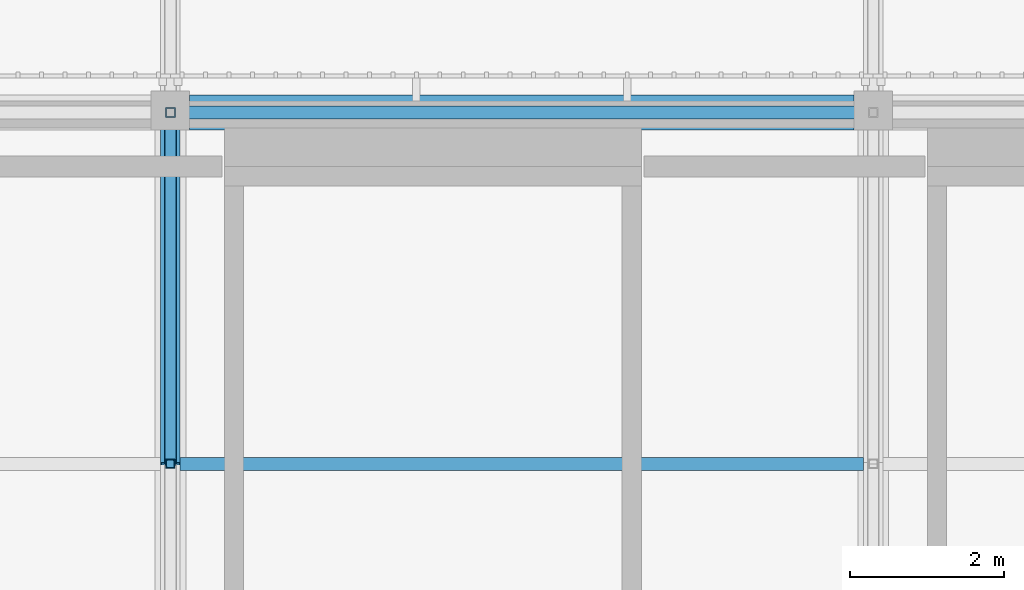
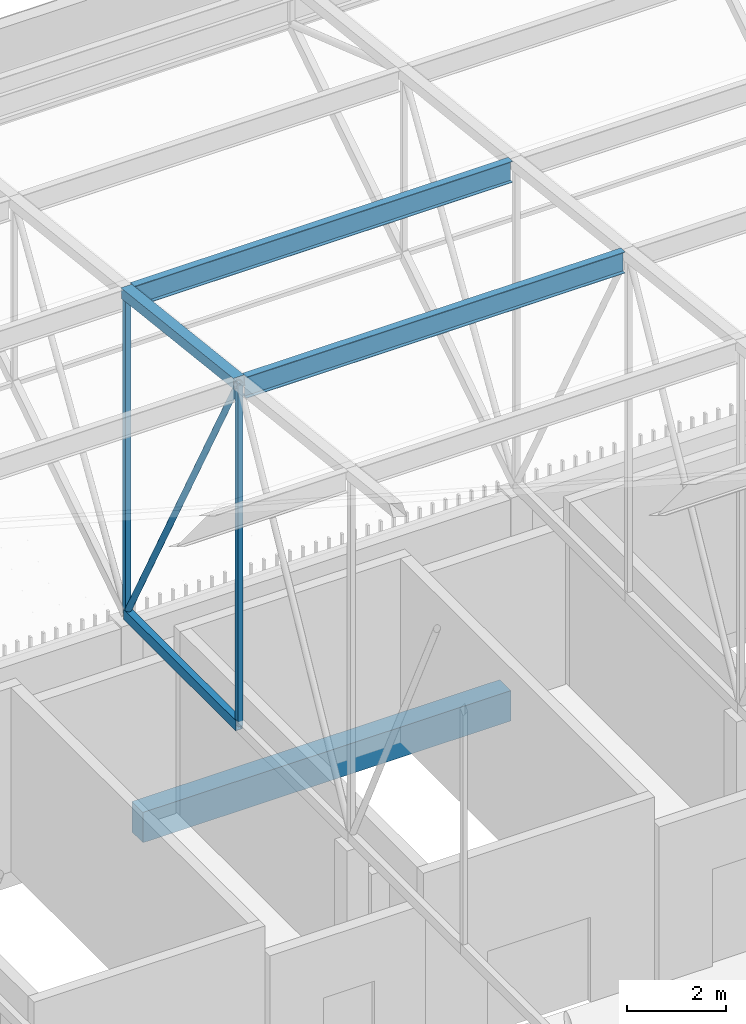
# One storey, part 233 of 500: 7 members, 1 beam.
"""IFC4 building model written with IfcOpenShell, lengths in metres."""

from ifc_helpers import new_model, si_unit, direction, frame, origin, origin_2d, place, context, subcontext, project, spatial, rectangle, hollow_rectangle, hollow_circle, i_section, extrude, material, material_profile, profile_set, type_object, element, save


model = new_model("IFC4")

# Units and contexts
model_context = context("Model", 3, precision=1e-05, world=origin(), true_north=direction((0.0, 1.0)))
body_context = subcontext(model_context, "Body", "Model", "MODEL_VIEW")
ifc_project = project(units=[si_unit("LENGTHUNIT", "METRE"), si_unit("AREAUNIT", "SQUARE_METRE"), si_unit("VOLUMEUNIT", "CUBIC_METRE"), si_unit("PLANEANGLEUNIT", "RADIAN"), si_unit("MASSUNIT", "GRAM", prefix="KILO")], contexts=[model_context])

# Site, building, storey
site_placement = place(None, origin())
site = spatial("IfcSite", under=ifc_project, at=site_placement, CompositionType="ELEMENT")
building_placement = place(site_placement, origin())
building = spatial("IfcBuilding", under=site, at=building_placement, Name="Shirokan Park Arena", CompositionType="ELEMENT")
storey_placement = place(building_placement, frame((0.0, 0.0, 29.1201171875)))
storey = spatial("IfcBuildingStorey", under=building, at=storey_placement, Name="L06", CompositionType="ELEMENT", Elevation=29.1201171875)

# Members
ifc_material_1 = material(Name="Steel ASTM A500 Grade C", Category="steel")
ifc_material_profile_1 = material_profile(ifc_material_1, hollow_rectangle(XDim=0.152099609375, YDim=0.25390625, WallThickness=0.009521484375, at=origin_2d()), Name="HSS254X152.4X9.5")
ifc_profile_set_1 = profile_set([ifc_material_profile_1], Name="Steel ASTM A500 Grade C")
member_type_1 = type_object("IfcMemberType", Name="Bottom chord HSS254X152.4X9.5", PredefinedType="CHORD", material=ifc_profile_set_1)
member_1_placement = place(storey_placement, frame((18.199951171875, 104.64990234375, 4.677001953125), z_axis=(0.0, 1.0, 0.0), x_axis=(-1.0, 0.0, 0.0)))
element("IfcMember", 1, at=member_1_placement, inside=storey, type_object=member_type_1, Name="Truss T03 bottom chord 26", PredefinedType="CHORD", context=body_context, shape_type="SweptSolid", body=[
    extrude(hollow_rectangle(XDim=0.152099609375, YDim=0.25390625, WallThickness=0.009521484375, at=origin_2d()), origin(), (0.0, 0.0, 1.0), 4.550048828125),
])
ifc_material_2 = material(Name="Steel ASTM A992", Category="steel")
ifc_material_profile_2 = material_profile(ifc_material_2, i_section(OverallWidth=0.166015625, OverallDepth=0.528076171875, WebThickness=0.009765625, FlangeThickness=0.013671875, at=origin_2d()), Name="W530X74")
ifc_profile_set_2 = profile_set([ifc_material_profile_2], Name="Steel ASTM A992")
member_type_2 = type_object("IfcMemberType", Name="Purlin W530X74", PredefinedType="PURLIN", material=ifc_profile_set_2)
for number, where, z_axis, x_axis, name in (
    (2, (18.326904296875, 104.64990234375, 13.005859375), (1.0, 0.0, 0.0), (0.0, 1.0, 0.0), "Purlin 26 bay 3"),
    (3, (18.326904296875, 109.199951171875, 12.48583984375), (1.0, 0.0, 0.0), (0.0, 1.0, 0.0), "Purlin 27 bay 3"),
):
    element("IfcMember", number, at=place(storey_placement, frame(where, z_axis=z_axis, x_axis=x_axis)), inside=storey, type_object=member_type_2, Name=name, PredefinedType="PURLIN", context=body_context, shape_type="SweptSolid", body=[
        extrude(i_section(OverallWidth=0.166015625, OverallDepth=0.528076171875, WebThickness=0.009765625, FlangeThickness=0.013671875, at=origin_2d()), origin(), (0.0, 0.0, 1.0), 8.84619140625),
    ])

# Beam
ifc_material_3 = material(Name="Concrete C35", Category="concrete")
ifc_material_profile_3 = material_profile(ifc_material_3, rectangle(XDim=0.449951171875, YDim=0.75, at=origin_2d()), Name="450x750")
ifc_profile_set_3 = profile_set([ifc_material_profile_3], Name="Concrete C35")
beam_type = type_object("IfcBeamType", Name="RC girder 450x750", PredefinedType="BEAM", material=ifc_profile_set_3)
beam_placement = place(storey_placement, frame((18.4501953125, 109.199951171875, -0.5751953125), z_axis=(1.0, 0.0, 0.0), x_axis=(0.0, 1.0, 0.0)))
element("IfcBeam", 4, at=beam_placement, inside=storey, type_object=beam_type, Name="Girder 3N-4N L06", PredefinedType="BEAM", context=body_context, shape_type="SweptSolid", body=[
    extrude(rectangle(XDim=0.449951171875, YDim=0.75, at=origin_2d()), origin(), (0.0, 0.0, 1.0), 8.599609375),
])

# Members
ifc_material_profile_4 = material_profile(ifc_material_1, hollow_rectangle(XDim=0.25390625, YDim=0.25390625, WallThickness=0.009521484375, at=origin_2d()), Name="HSS254X254X9.5")
ifc_profile_set_4 = profile_set([ifc_material_profile_4], Name="Steel ASTM A500 Grade C")
member_type_3 = type_object("IfcMemberType", Name="Top chord HSS254X254X9.5", PredefinedType="CHORD", material=ifc_profile_set_4)
member_2_placement = place(storey_placement, frame((18.199951171875, 104.64990234375, 13.142822265625), z_axis=(0.0, 0.993532328996, -0.113549598152), x_axis=(-1.0, 0.0, 0.0)))
element("IfcMember", 5, at=member_2_placement, inside=storey, type_object=member_type_3, Name="Truss T03 top chord 26", PredefinedType="CHORD", context=body_context, shape_type="SweptSolid", body=[
    extrude(hollow_rectangle(XDim=0.25390625, YDim=0.25390625, WallThickness=0.009521484375, at=origin_2d()), origin(), (0.0, 0.0, 1.0), 4.57958984375),
])
ifc_material_profile_5 = material_profile(ifc_material_1, hollow_circle(Radius=0.070556640625, WallThickness=0.006591796875, at=origin_2d()), Name="HSS141.3X6.6")
ifc_profile_set_5 = profile_set([ifc_material_profile_5], Name="Steel ASTM A500 Grade C")
member_type_4 = type_object("IfcMemberType", Name="Truss diagonal HSS141.3X6.6", PredefinedType="BRACE", material=ifc_profile_set_5)
member_3_placement = place(storey_placement, frame((18.199951171875, 104.64990234375, 13.142822265625), z_axis=(0.0, 0.473416507165, -0.880838697347), x_axis=(-1.0, 0.0, 0.0)))
element("IfcMember", 6, at=member_3_placement, inside=storey, type_object=member_type_4, Name="Truss T03 diagonal 26", PredefinedType="BRACE", context=body_context, shape_type="SweptSolid", body=[
    extrude(hollow_circle(Radius=0.070556640625, WallThickness=0.006591796875, at=origin_2d()), origin(), (0.0, 0.0, 1.0), 9.611083984375),
])
ifc_material_profile_6 = material_profile(ifc_material_1, hollow_rectangle(XDim=0.114013671875, YDim=0.114013671875, WallThickness=0.00634765625, at=origin_2d()), Name="HSS114.3X114.3X6.4")
ifc_profile_set_6 = profile_set([ifc_material_profile_6], Name="Steel ASTM A500 Grade C")
member_type_5 = type_object("IfcMemberType", Name="Truss post HSS114.3X114.3X6.4", PredefinedType="POST", material=ifc_profile_set_6)
member_4_placement = place(storey_placement, frame((18.199951171875, 104.64990234375, 4.677001953125), z_axis=(0.0, 0.0, 1.0), x_axis=(1.0, 0.0, 0.0)))
element("IfcMember", 7, at=member_4_placement, inside=storey, type_object=member_type_5, Name="Truss T03 post 26", PredefinedType="POST", context=body_context, shape_type="SweptSolid", body=[
    extrude(hollow_rectangle(XDim=0.114013671875, YDim=0.114013671875, WallThickness=0.00634765625, at=origin_2d()), origin(), (0.0, 0.0, 1.0), 8.4658203125),
])
ifc_material_profile_7 = material_profile(ifc_material_1, hollow_rectangle(XDim=0.126953125, YDim=0.126953125, WallThickness=0.0126953125, at=origin_2d()), Name="HSS127X127X12.7")
ifc_profile_set_7 = profile_set([ifc_material_profile_7], Name="Steel ASTM A500 Grade C")
member_type_6 = type_object("IfcMemberType", Name="Truss post HSS127X127X12.7", PredefinedType="POST", material=ifc_profile_set_7)
member_5_placement = place(storey_placement, frame((18.199951171875, 109.199951171875, 4.677001953125), z_axis=(0.0, 0.0, 1.0), x_axis=(1.0, 0.0, 0.0)))
element("IfcMember", 8, at=member_5_placement, inside=storey, type_object=member_type_6, Name="Truss T03 post 27", PredefinedType="POST", context=body_context, shape_type="SweptSolid", body=[
    extrude(hollow_rectangle(XDim=0.126953125, YDim=0.126953125, WallThickness=0.0126953125, at=origin_2d()), origin(), (0.0, 0.0, 1.0), 7.94580078125),
])

save(model, "model.ifc")
